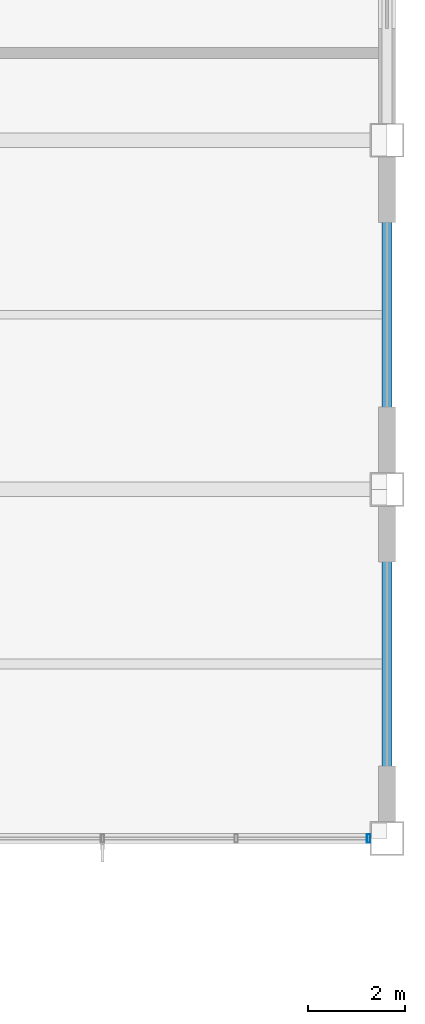
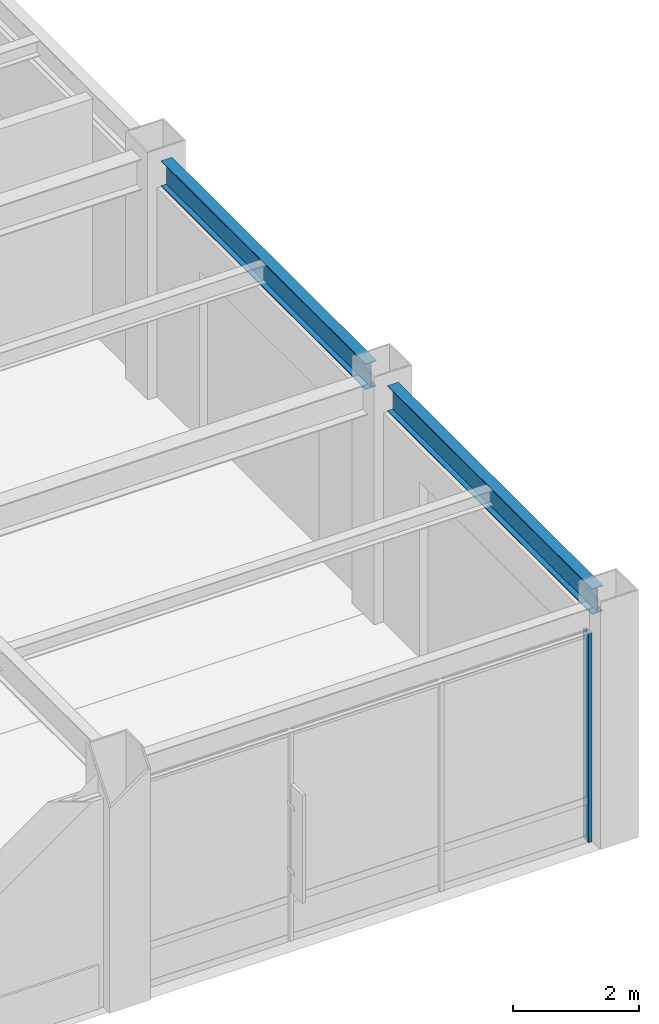
# One storey, part 77 of 112: 2 beams, 1 member, 1 element without a shape of its own.
"""IFC4 building model written with IfcOpenShell, lengths in metres."""

from ifc_helpers import new_model, si_unit, direction, frame, origin, origin_2d, place, context, subcontext, project, spatial, hollow_rectangle, i_section, extrude, material, material_profile, profile_set, type_object, element, aggregate, save


model = new_model("IFC4")

# Units and contexts
model_context = context("Model", 3, precision=1e-05, world=origin(), true_north=direction((0.0, 1.0)))
body_context = subcontext(model_context, "Body", "Model", "MODEL_VIEW")
ifc_project = project(units=[si_unit("LENGTHUNIT", "METRE"), si_unit("AREAUNIT", "SQUARE_METRE"), si_unit("VOLUMEUNIT", "CUBIC_METRE"), si_unit("PLANEANGLEUNIT", "RADIAN"), si_unit("MASSUNIT", "GRAM", prefix="KILO")], contexts=[model_context])

# Site, building, storey
site_placement = place(None, origin())
site = spatial("IfcSite", under=ifc_project, at=site_placement, CompositionType="ELEMENT")
building_placement = place(site_placement, origin())
building = spatial("IfcBuilding", under=site, at=building_placement, Name="Kazanami Central Library", CompositionType="ELEMENT")
storey_placement = place(building_placement, origin())
storey = spatial("IfcBuildingStorey", under=building, at=storey_placement, Name="L01", CompositionType="ELEMENT", Elevation=0.0)

# Beams
ifc_material_1 = material(Name="Steel SN490B (325 MPa)", Category="steel")
ifc_material_profile_1 = material_profile(ifc_material_1, i_section(OverallWidth=0.199951171875, OverallDepth=0.5, WebThickness=0.010009765625, FlangeThickness=0.01611328125, at=origin_2d()), Name="H-500x200x10x16")
ifc_profile_set_1 = profile_set([ifc_material_profile_1], Name="Steel SN490B (325 MPa)")
beam_type = type_object("IfcBeamType", Name="BM-SP-1", PredefinedType="SPANDREL", material=ifc_profile_set_1)
for number, where, z_axis, x_axis, name in (
    (1, (162.0, 43.548095703125, 4.304931640625), (0.0, 1.0, 0.0), (-1.0, 0.0, 0.0), "Girder SP-1 L01 19/G-H"),
    (2, (162.0, 50.748046875, 4.304931640625), (0.0, 1.0, 0.0), (-1.0, 0.0, 0.0), "Girder SP-1 L01 19/H-J"),
):
    element("IfcBeam", number, at=place(storey_placement, frame(where, z_axis=z_axis, x_axis=x_axis)), inside=storey, type_object=beam_type, Name=name, PredefinedType="SPANDREL", context=body_context, shape_type="SweptSolid", body=[
        extrude(i_section(OverallWidth=0.199951171875, OverallDepth=0.5, WebThickness=0.010009765625, FlangeThickness=0.01611328125, at=origin_2d()), origin(), (0.0, 0.0, 1.0), 6.50390625),
    ])

# Curtain wall, member
ifc_material_2 = material(Name="Acid-Etched Low-E Laminated Glass", Category="glass")
curtain_wall_type = type_object("IfcCurtainWallType", Name="CW-8275x4055-M275", PredefinedType="USERDEFINED", material=ifc_material_2)
curtain_wall_placement = place(storey_placement, origin())
curtain_wall = element("IfcCurtainWall", 3, at=curtain_wall_placement, inside=storey, type_object=curtain_wall_type, Name="Unitised Curtain Wall CW-04 L01 S-G-17", ObjectType="UNITISED CURTAIN WALL", PredefinedType="USERDEFINED")
ifc_material_3 = material(Name="Anodised Aluminium A6063-T5", Category="aluminium")
ifc_material_profile_2 = material_profile(ifc_material_3, hollow_rectangle(XDim=0.06494140625, YDim=0.179931640625, WallThickness=0.00390625, at=origin_2d()), Name="ALU-MULL-65x180x4")
ifc_profile_set_2 = profile_set([ifc_material_profile_2], Name="Anodised Aluminium A6063-T5")
member_type = type_object("IfcMemberType", Name="MEM-CW-M2", PredefinedType="MULLION", material=ifc_profile_set_2)
member_placement = place(storey_placement, frame((161.617431640625, 43.199951171875, 0.0), z_axis=(0.0, 0.0, 1.0), x_axis=(1.0, 0.0, 0.0)))
member = element("IfcMember", 4, at=member_placement, type_object=member_type, Name="CW-04 mullion 4", PredefinedType="MULLION", context=body_context, shape_type="SweptSolid", body=[
    extrude(hollow_rectangle(XDim=0.06494140625, YDim=0.179931640625, WallThickness=0.00390625, at=origin_2d()), origin(), (0.0, 0.0, 1.0), 4.054931640625),
])
aggregate(curtain_wall, [member])

save(model, "model.ifc")
